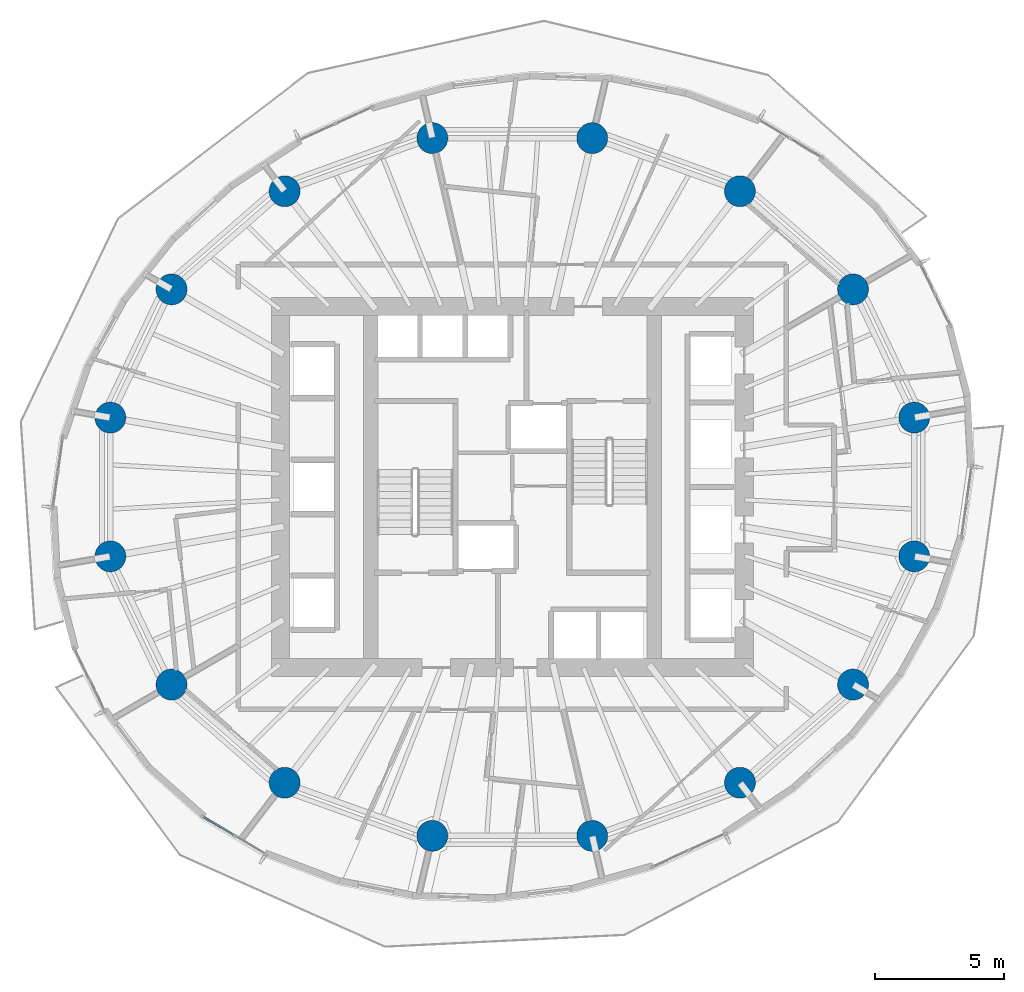
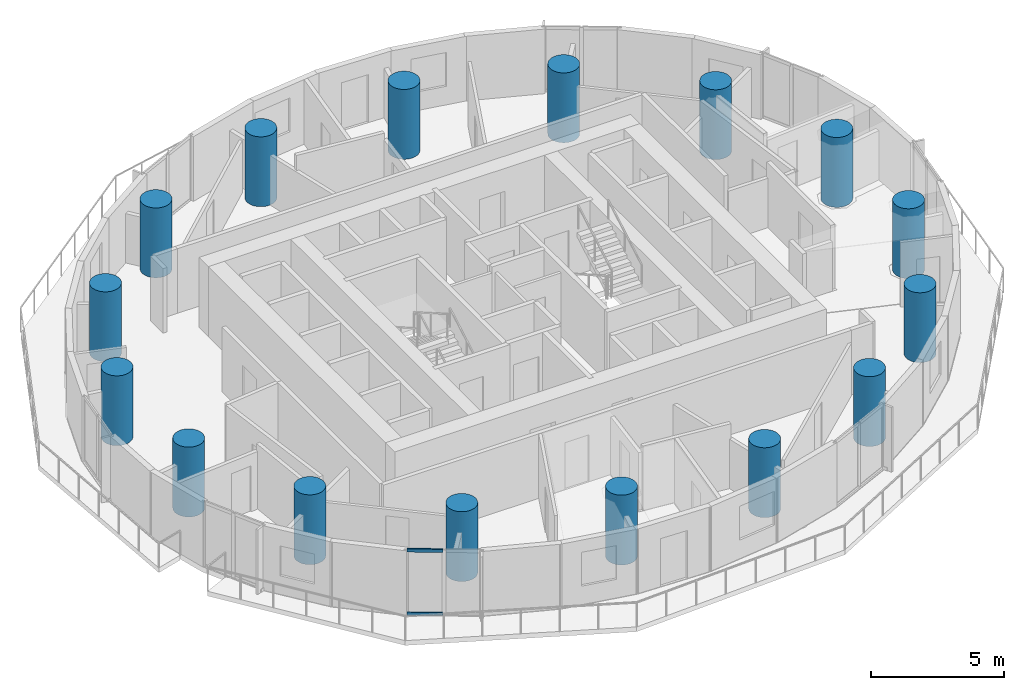
# One storey, part 1 of 14: 16 columns, 2 members, 1 element without a shape of its own.
"""IFC4 building model written with IfcOpenShell, lengths in metres."""

from ifc_helpers import new_model, si_unit, direction, frame, origin, origin_2d, place, context, subcontext, project, spatial, rectangle, circle, extrude, material, material_profile, profile_set, type_object, element, aggregate, save


model = new_model("IFC4")

# Units and contexts
model_context = context("Model", 3, precision=1e-05, world=origin(), true_north=direction((0.0, 1.0)))
body_context = subcontext(model_context, "Body", "Model", "MODEL_VIEW")
ifc_project = project(units=[si_unit("LENGTHUNIT", "METRE"), si_unit("AREAUNIT", "SQUARE_METRE"), si_unit("VOLUMEUNIT", "CUBIC_METRE"), si_unit("PLANEANGLEUNIT", "RADIAN"), si_unit("MASSUNIT", "GRAM", prefix="KILO")], contexts=[model_context])

# Site, building, storey
site_placement = place(None, origin())
site = spatial("IfcSite", under=ifc_project, at=site_placement, CompositionType="ELEMENT")
building_placement = place(site_placement, origin())
building = spatial("IfcBuilding", under=site, at=building_placement, Name="Veldorim Arch Residences", CompositionType="ELEMENT")
storey_placement = place(building_placement, frame((0.0, 0.0, 90.080078125)))
storey = spatial("IfcBuildingStorey", under=building, at=storey_placement, Name="L26", CompositionType="ELEMENT", Elevation=90.080078125)

# Columns
ifc_material_1 = material(Name="Concrete C60/75", Category="concrete")
ifc_material_profile_1 = material_profile(ifc_material_1, circle(Radius=0.60009765625, at=origin_2d()), Name="RC_CIRC_1200")
ifc_profile_set_1 = profile_set([ifc_material_profile_1], Name="Concrete C60/75")
column_type = type_object("IfcColumnType", Name="Structural Column RC_CIRC_1200", PredefinedType="COLUMN", material=ifc_profile_set_1)
for number, where, z_axis, x_axis, name in (
    (1, (47.594482421875, 26.692138671875, 0.0), (0.0, 0.0, 1.0), (1.0, 0.0, 0.0), "L26 TC-Z2-01 perimeter column"),
    (2, (45.220458984375, 31.6669921875, 0.0), (0.0, 0.0, 1.0), (1.0, 0.0, 0.0), "L26 TC-Z2-02 perimeter column"),
    (3, (40.83349609375, 35.474365234375, 0.0), (0.0, 0.0, 1.0), (1.0, 0.0, 0.0), "L26 TC-Z2-03 perimeter column"),
    (4, (35.101806640625, 37.534912109375, 0.0), (0.0, 0.0, 1.0), (1.0, 0.0, 0.0), "L26 TC-Z2-04 perimeter column"),
    (5, (28.898193359375, 37.534912109375, 0.0), (0.0, 0.0, 1.0), (1.0, 0.0, 0.0), "L26 TC-Z2-05 perimeter column"),
    (6, (23.16650390625, 35.474365234375, 0.0), (0.0, 0.0, 1.0), (1.0, 0.0, 0.0), "L26 TC-Z2-06 perimeter column"),
    (7, (18.779541015625, 31.6669921875, 0.0), (0.0, 0.0, 1.0), (1.0, 0.0, 0.0), "L26 TC-Z2-07 perimeter column"),
    (8, (16.405517578125, 26.692138671875, 0.0), (0.0, 0.0, 1.0), (1.0, 0.0, 0.0), "L26 TC-Z2-08 perimeter column"),
    (9, (16.405517578125, 21.307861328125, 0.0), (0.0, 0.0, 1.0), (1.0, 0.0, 0.0), "L26 TC-Z2-09 perimeter column"),
    (10, (18.779541015625, 16.3330078125, 0.0), (0.0, 0.0, 1.0), (1.0, 0.0, 0.0), "L26 TC-Z2-10 perimeter column"),
    (11, (23.16650390625, 12.525634765625, 0.0), (0.0, 0.0, 1.0), (1.0, 0.0, 0.0), "L26 TC-Z2-11 perimeter column"),
    (12, (28.898193359375, 10.465087890625, 0.0), (0.0, 0.0, 1.0), (1.0, 0.0, 0.0), "L26 TC-Z2-12 perimeter column"),
    (13, (35.101806640625, 10.465087890625, 0.0), (0.0, 0.0, 1.0), (1.0, 0.0, 0.0), "L26 TC-Z2-13 perimeter column"),
    (14, (40.83349609375, 12.525634765625, 0.0), (0.0, 0.0, 1.0), (1.0, 0.0, 0.0), "L26 TC-Z2-14 perimeter column"),
    (15, (45.220458984375, 16.3330078125, 0.0), (0.0, 0.0, 1.0), (1.0, 0.0, 0.0), "L26 TC-Z2-15 perimeter column"),
    (16, (47.594482421875, 21.307861328125, 0.0), (0.0, 0.0, 1.0), (1.0, 0.0, 0.0), "L26 TC-Z2-16 perimeter column"),
):
    element("IfcColumn", number, at=place(storey_placement, frame(where, z_axis=z_axis, x_axis=x_axis)), inside=storey, type_object=column_type, Name=name, PredefinedType="COLUMN", context=body_context, shape_type="SweptSolid", body=[
        extrude(circle(Radius=0.60009765625, at=origin_2d()), origin(), (0.0, 0.0, 1.0), 3.199951171875),
    ])

# Curtain wall, members
ifc_material_2 = material(Name="Aluminium", Category="aluminium")
curtain_wall_type = type_object("IfcCurtainWallType", Name="Zone 2 Solar-Control Unitised Curtain Wall", PredefinedType="NOTDEFINED", material=ifc_material_2)
curtain_wall_placement = place(storey_placement, origin())
curtain_wall = element("IfcCurtainWall", 17, at=curtain_wall_placement, inside=storey, type_object=curtain_wall_type, Name="L26 unitised curtain wall bay 22", PredefinedType="NOTDEFINED")
ifc_material_3 = material(Name="Aluminium", Category="aluminium")
ifc_material_profile_2 = material_profile(ifc_material_3, rectangle(XDim=0.06494140625, YDim=0.14501953125, at=origin_2d()), Name="ALU_TRN_65x145")
ifc_profile_set_2 = profile_set([ifc_material_profile_2], Name="Aluminium")
member_type = type_object("IfcMemberType", Name="Zone 2 Solar-Control Unitised Curtain Wall Transom 65x145", PredefinedType="USERDEFINED", material=ifc_profile_set_2)
member_1_placement = place(storey_placement, frame((21.18798828125, 10.50048828125, 0.032470703125), z_axis=(-0.857636334709, 0.514256664894, 0.0), x_axis=(-0.514256664894, -0.857636334709, 0.0)))
member_1 = element("IfcMember", 18, at=member_1_placement, type_object=member_type, Name="CW-Z2 transom 2.1", ObjectType="TRANSOM", PredefinedType="USERDEFINED", context=body_context, shape_type="SweptSolid", body=[
    extrude(rectangle(XDim=0.06494140625, YDim=0.14501953125, at=origin_2d()), origin(), (0.0, 0.0, 1.0), 1.3515625),
])
member_2_placement = place(storey_placement, frame((21.18798828125, 10.50048828125, 2.927490234375), z_axis=(-0.857636334709, 0.514256664894, 0.0), x_axis=(-0.514256664894, -0.857636334709, 0.0)))
member_2 = element("IfcMember", 19, at=member_2_placement, type_object=member_type, Name="CW-Z2 transom 2.2", ObjectType="TRANSOM", PredefinedType="USERDEFINED", context=body_context, shape_type="SweptSolid", body=[
    extrude(rectangle(XDim=0.06494140625, YDim=0.14501953125, at=origin_2d()), origin(), (0.0, 0.0, 1.0), 1.3515625),
])
aggregate(curtain_wall, [member_1, member_2])

save(model, "model.ifc")
